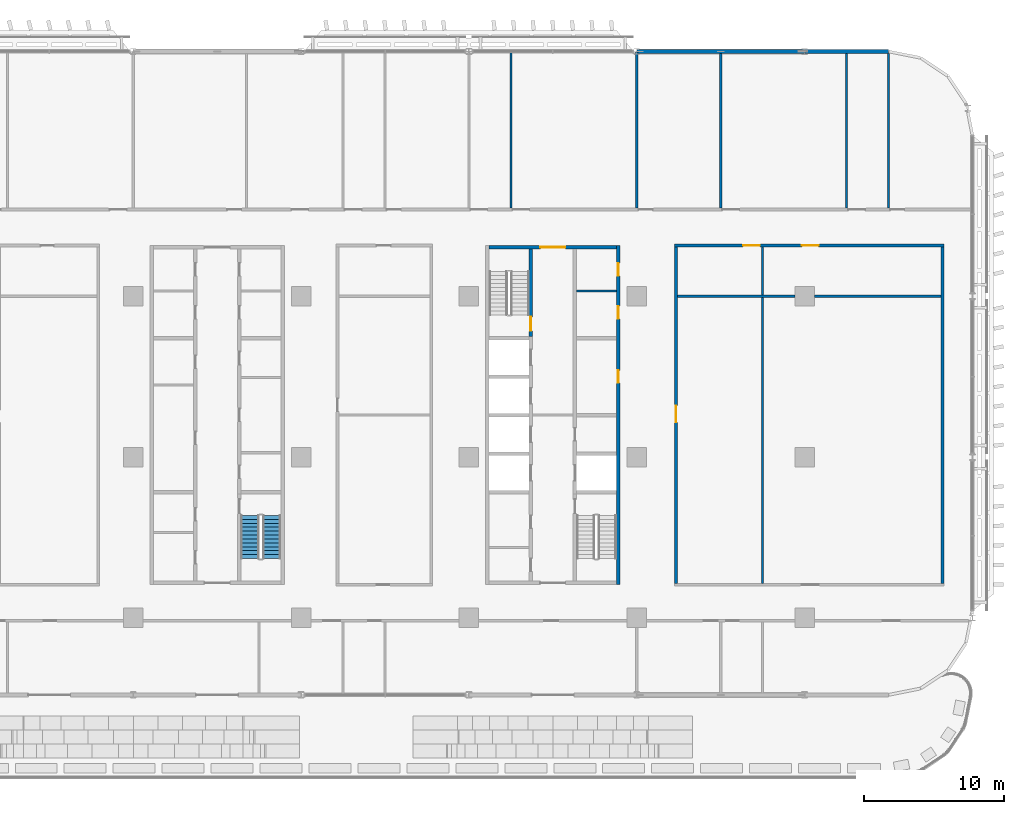
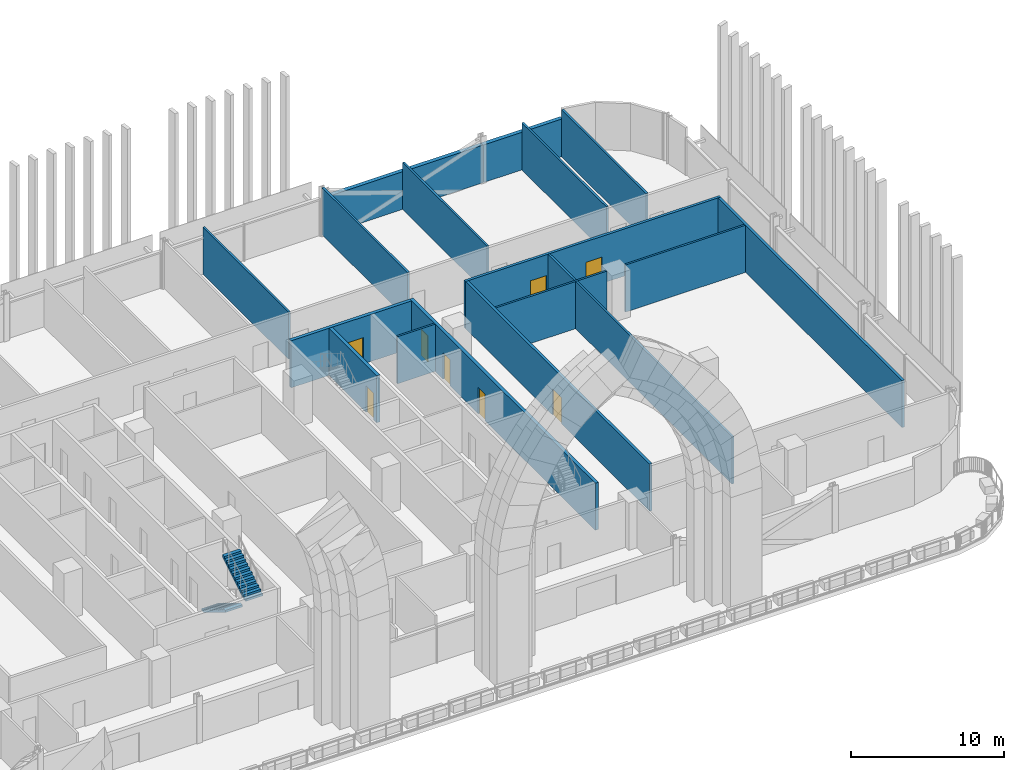
# One storey, part 15 of 31: 17 walls, 8 doors, 2 stair flights, 8 openings, 1 element without a shape of its own.
"""IFC4 building model written with IfcOpenShell, lengths in metres."""

from ifc_helpers import new_model, si_unit, direction, frame, frame_2d, origin, place, context, subcontext, project, spatial, polyline, rectangle, outline, extrude, material, layer, layer_set, type_object, element, fill, aggregate, save


model = new_model("IFC4")

# Units and contexts
model_context = context("Model", 3, precision=1e-05, world=origin(), true_north=direction((0.0, 1.0)))
body_context = subcontext(model_context, "Body", "Model", "MODEL_VIEW")
ifc_project = project(units=[si_unit("LENGTHUNIT", "METRE"), si_unit("AREAUNIT", "SQUARE_METRE"), si_unit("VOLUMEUNIT", "CUBIC_METRE"), si_unit("PLANEANGLEUNIT", "RADIAN"), si_unit("MASSUNIT", "GRAM", prefix="KILO")], contexts=[model_context])

# Site, building, storey
site_placement = place(None, origin())
site = spatial("IfcSite", under=ifc_project, at=site_placement, CompositionType="ELEMENT")
building_placement = place(site_placement, origin())
building = spatial("IfcBuilding", under=site, at=building_placement, Name="Mahtab Terrace Research Tower", CompositionType="ELEMENT")
storey_placement = place(building_placement, frame((0.0, 0.0, 84.800048828125)))
storey = spatial("IfcBuildingStorey", under=building, at=storey_placement, Name="L19", CompositionType="ELEMENT", Elevation=84.800048828125)

# Wall
ifc_material_1 = material(Name="Gypsum board partition")
ifc_layer_1 = layer(ifc_material_1, 0.14990234375)
ifc_layer_set_1 = layer_set([ifc_layer_1], Name="Core partition 150")
wall_type_1 = type_object("IfcWallType", Name="Core partition 150", PredefinedType="PARTITIONING", material=ifc_layer_set_1)
wall_1_placement = place(storey_placement, frame((25.699951171875, 11.875, 0.0), z_axis=(0.0, 0.0, 1.0), x_axis=(1.0, 0.0, 0.0)))
element("IfcWall", 1, at=wall_1_placement, inside=storey, type_object=wall_type_1, Name="Core wall C pEN888", PredefinedType="PARTITIONING", context=body_context, shape_type="SweptSolid", body=[
    extrude(rectangle(XDim=2.85009765625, YDim=0.14990234375, at=frame_2d((1.425048828125, 0.0))), origin(), (0.0, 0.0, 1.0), 3.760009765625),
])

# Wall, openings, doors
ifc_material_2 = material(Name="Concrete C70/85", Category="concrete")
ifc_layer_2 = layer(ifc_material_2, 0.25)
ifc_layer_set_2 = layer_set([ifc_layer_2], Name="Core wall 250")
wall_type_2 = type_object("IfcWallType", Name="Core wall 250", PredefinedType="SOLIDWALL", material=ifc_layer_set_2)
wall_2_placement = place(storey_placement, frame((28.675048828125, -9.125, 0.0), z_axis=(0.0, 0.0, 1.0), x_axis=(0.0, 1.0, 0.0)))
wall_2 = element("IfcWall", 2, at=wall_2_placement, inside=storey, type_object=wall_type_2, Name="Core wall C outerE", PredefinedType="SOLIDWALL", context=body_context, shape_type="SweptSolid", body=[
    extrude(rectangle(XDim=24.25, YDim=0.25, at=frame_2d((12.125, 0.0))), origin(), (0.0, 0.0, 1.0), 3.760009765625),
])
opening_1_placement = place(wall_2_placement, frame((14.425048828125, 0.0, 0.0)))
opening_1 = element("IfcOpeningElement", 3, at=opening_1_placement, cuts=wall_2, Name="Opening C-R2", PredefinedType="OPENING", context=body_context, shape_type="SweptSolid", body=[
    extrude(rectangle(XDim=0.89990234375, YDim=2.10009765625, at=frame_2d((0.449951171875, 1.050048828125))), frame((0.0, 0.135009765625, 0.0), z_axis=(0.0, -1.0, 0.0), x_axis=(1.0, 0.0, 0.0)), (0.0, 0.0, 1.0), 0.27001953125),
])
opening_2_placement = place(wall_2_placement, frame((19.012451171875, 0.0, 0.0)))
opening_2 = element("IfcOpeningElement", 4, at=opening_2_placement, cuts=wall_2, Name="Opening C-R5", PredefinedType="OPENING", context=body_context, shape_type="SweptSolid", body=[
    extrude(rectangle(XDim=0.89990234375, YDim=2.10009765625, at=frame_2d((0.449951171875, 1.050048828125))), frame((0.0, 0.135009765625, 0.0), z_axis=(0.0, -1.0, 0.0), x_axis=(1.0, 0.0, 0.0)), (0.0, 0.0, 1.0), 0.27001953125),
])
opening_3_placement = place(wall_2_placement, frame((22.08740234375, 0.0, 0.0)))
opening_3 = element("IfcOpeningElement", 5, at=opening_3_placement, cuts=wall_2, Name="Opening C-R6", PredefinedType="OPENING", context=body_context, shape_type="SweptSolid", body=[
    extrude(rectangle(XDim=0.89990234375, YDim=2.10009765625, at=frame_2d((0.449951171875, 1.050048828125))), frame((0.0, 0.135009765625, 0.0), z_axis=(0.0, -1.0, 0.0), x_axis=(1.0, 0.0, 0.0)), (0.0, 0.0, 1.0), 0.27001953125),
])
ifc_material_3 = material(Name="Steel fire door", Category="steel")
door_type_1 = type_object("IfcDoorType", Name="Room door 900x2100 1 HR", OperationType="NOTDEFINED", PredefinedType="DOOR", material=ifc_material_3)
door_1_placement = place(opening_1_placement, origin())
door_1 = element("IfcDoor", 6, at=door_1_placement, inside=storey, type_object=door_type_1, Name="Plant room door", OperationType="SINGLE_SWING_RIGHT", OverallHeight=2.10009765625, OverallWidth=0.89990234375, PredefinedType="DOOR", context=body_context, shape_type="SweptSolid", body=[
    extrude(rectangle(XDim=0.89990234375, YDim=2.10009765625, at=frame_2d((0.449951171875, 1.050048828125))), frame((0.0, 0.02490234375, 0.0), z_axis=(0.0, -1.0, 0.0), x_axis=(1.0, 0.0, 0.0)), (0.0, 0.0, 1.0), 0.050048828125),
])
fill(opening_1, door_1)
door_2_placement = place(opening_2_placement, origin())
door_2 = element("IfcDoor", 7, at=door_2_placement, inside=storey, type_object=door_type_1, Name="Housekeeping store door", OperationType="SINGLE_SWING_LEFT", OverallHeight=2.10009765625, OverallWidth=0.89990234375, PredefinedType="DOOR", context=body_context, shape_type="SweptSolid", body=[
    extrude(rectangle(XDim=0.89990234375, YDim=2.10009765625, at=frame_2d((0.449951171875, 1.050048828125))), frame((0.0, 0.02490234375, 0.0), z_axis=(0.0, -1.0, 0.0), x_axis=(1.0, 0.0, 0.0)), (0.0, 0.0, 1.0), 0.050048828125),
])
fill(opening_2, door_2)
door_3_placement = place(opening_3_placement, origin())
door_3 = element("IfcDoor", 8, at=door_3_placement, inside=storey, type_object=door_type_1, Name="Electrical riser room door", OperationType="SINGLE_SWING_RIGHT", OverallHeight=2.10009765625, OverallWidth=0.89990234375, PredefinedType="DOOR", context=body_context, shape_type="SweptSolid", body=[
    extrude(rectangle(XDim=0.89990234375, YDim=2.10009765625, at=frame_2d((0.449951171875, 1.050048828125))), frame((0.0, 0.02490234375, 0.0), z_axis=(0.0, -1.0, 0.0), x_axis=(1.0, 0.0, 0.0)), (0.0, 0.0, 1.0), 0.050048828125),
])
fill(opening_3, door_3)

# Wall, opening, door
wall_3_placement = place(storey_placement, frame((19.449951171875, 15.0, 0.0), z_axis=(0.0, 0.0, 1.0), x_axis=(1.0, 0.0, 0.0)))
wall_3 = element("IfcWall", 9, at=wall_3_placement, inside=storey, type_object=wall_type_2, Name="Core wall C endN", PredefinedType="SOLIDWALL", context=body_context, shape_type="SweptSolid", body=[
    extrude(rectangle(XDim=9.10009765625, YDim=0.25, at=frame_2d((4.550048828125, 0.0))), origin(), (0.0, 0.0, 1.0), 3.760009765625),
])
opening_4_placement = place(wall_3_placement, frame((3.64990234375, 0.0, 0.0)))
opening_4 = element("IfcOpeningElement", 10, at=opening_4_placement, cuts=wall_3, Name="Opening C-N1", PredefinedType="OPENING", context=body_context, shape_type="SweptSolid", body=[
    extrude(rectangle(XDim=1.800048828125, YDim=2.10009765625, at=frame_2d((0.89990234375, 1.050048828125))), frame((0.0, 0.135009765625, 0.0), z_axis=(0.0, -1.0, 0.0), x_axis=(1.0, 0.0, 0.0)), (0.0, 0.0, 1.0), 0.27001953125),
])
door_type_2 = type_object("IfcDoorType", Name="Lobby double door 1800x2100 1 HR", OperationType="DOUBLE_DOOR_SINGLE_SWING", PredefinedType="DOOR", material=ifc_material_3)
door_4_placement = place(opening_4_placement, origin())
door_4 = element("IfcDoor", 11, at=door_4_placement, inside=storey, type_object=door_type_2, Name="Core entrance door C N", OperationType="DOUBLE_DOOR_SINGLE_SWING", OverallHeight=2.10009765625, OverallWidth=1.800048828125, PredefinedType="DOOR", context=body_context, shape_type="SweptSolid", body=[
    extrude(rectangle(XDim=1.800048828125, YDim=2.10009765625, at=frame_2d((0.89990234375, 1.050048828125))), frame((0.0, 0.02490234375, 0.0), z_axis=(0.0, -1.0, 0.0), x_axis=(1.0, 0.0, 0.0)), (0.0, 0.0, 1.0), 0.050048828125),
])
fill(opening_4, door_4)

wall_4_placement = place(storey_placement, frame((22.425048828125, 14.875, 0.0), z_axis=(0.0, 0.0, 1.0), x_axis=(0.0, -1.0, 0.0)))
wall_4 = element("IfcWall", 12, at=wall_4_placement, inside=storey, type_object=wall_type_2, Name="Core wall C innerWN", PredefinedType="SOLIDWALL", context=body_context, shape_type="SweptSolid", body=[
    extrude(rectangle(XDim=6.25, YDim=0.25, at=frame_2d((3.125, 0.0))), origin(), (0.0, 0.0, 1.0), 3.760009765625),
])
opening_5_placement = place(wall_4_placement, frame((4.85009765625, 0.0, 0.0)))
opening_5 = element("IfcOpeningElement", 13, at=opening_5_placement, cuts=wall_4, Name="Opening C-ST3", PredefinedType="OPENING", context=body_context, shape_type="SweptSolid", body=[
    extrude(rectangle(XDim=1.0, YDim=2.10009765625, at=frame_2d((0.5, 1.050048828125))), frame((0.0, 0.135009765625, 0.0), z_axis=(0.0, -1.0, 0.0), x_axis=(1.0, 0.0, 0.0)), (0.0, 0.0, 1.0), 0.27001953125),
])
door_type_3 = type_object("IfcDoorType", Name="Stair door 1000x2100 1.5 HR", OperationType="NOTDEFINED", PredefinedType="DOOR", material=ifc_material_3)
door_5_placement = place(opening_5_placement, origin())
door_5 = element("IfcDoor", 14, at=door_5_placement, inside=storey, type_object=door_type_3, Name="Stair door ST3 L19", OperationType="SINGLE_SWING_LEFT", OverallHeight=2.10009765625, OverallWidth=1.0, PredefinedType="DOOR", context=body_context, shape_type="SweptSolid", body=[
    extrude(rectangle(XDim=1.0, YDim=2.10009765625, at=frame_2d((0.5, 1.050048828125))), frame((0.0, 0.02490234375, 0.0), z_axis=(0.0, -1.0, 0.0), x_axis=(1.0, 0.0, 0.0)), (0.0, 0.0, 1.0), 0.050048828125),
])
fill(opening_5, door_5)

# Walls
ifc_material_4 = material(Name="Black aluminium cladding panel", Category="aluminium")
ifc_layer_3 = layer(ifc_material_4, 0.300048828125)
ifc_layer_set_3 = layer_set([ifc_layer_3], Name="Opaque facade wall 300")
wall_type_3 = type_object("IfcWallType", Name="Opaque facade wall 300", PredefinedType="NOTDEFINED", material=ifc_layer_set_3)
wall_5_placement = place(storey_placement, frame((48.0, 29.0, 0.0), z_axis=(0.0, 0.0, 1.0), x_axis=(-1.0, 0.0, 0.0)))
element("IfcWall", 15, at=wall_5_placement, inside=storey, type_object=wall_type_3, Name="Opaque facade wall L19 N3", PredefinedType="NOTDEFINED", context=body_context, shape_type="SweptSolid", body=[
    extrude(rectangle(XDim=5.97900390625, YDim=0.300048828125, at=frame_2d((2.989501953125, 0.0))), origin(), (0.0, 0.0, 1.0), 3.0029296875),
])
wall_6_placement = place(storey_placement, frame((41.97900390625, 29.0, 0.0), z_axis=(0.0, 0.0, 1.0), x_axis=(-1.0, 0.0, 0.0)))
element("IfcWall", 16, at=wall_6_placement, inside=storey, type_object=wall_type_3, Name="Opaque facade wall L19 N4", PredefinedType="NOTDEFINED", context=body_context, shape_type="SweptSolid", body=[
    extrude(rectangle(XDim=11.9580078125, YDim=0.300048828125, at=frame_2d((5.97900390625, 0.0))), origin(), (0.0, 0.0, 1.0), 3.0029296875),
])

# Wall, openings, doors
ifc_material_5 = material(Name="Gypsum board corridor wall on steel studs", Category="steel")
ifc_layer_4 = layer(ifc_material_5, 0.199951171875)
ifc_layer_set_4 = layer_set([ifc_layer_4], Name="WALL CORRIDOR 200")
wall_type_4 = type_object("IfcWallType", Name="WALL CORRIDOR 200", PredefinedType="PARTITIONING", material=ifc_layer_set_4)
wall_7_placement = place(storey_placement, frame((32.699951171875, 15.125, 0.0), z_axis=(0.0, 0.0, 1.0), x_axis=(1.0, 0.0, 0.0)))
wall_7 = element("IfcWall", 17, at=wall_7_placement, inside=storey, type_object=wall_type_4, Name="L19-W023", PredefinedType="PARTITIONING", context=body_context, shape_type="SweptSolid", body=[
    extrude(rectangle(XDim=19.25, YDim=0.199951171875, at=frame_2d((9.625, 0.0))), origin(), (0.0, 0.0, 1.0), 3.760009765625),
])
opening_6_placement = place(wall_7_placement, frame((4.89990234375, 0.0, 0.0)))
opening_6 = element("IfcOpeningElement", 18, at=opening_6_placement, cuts=wall_7, Name="Opening L19-121", PredefinedType="OPENING", context=body_context, shape_type="SweptSolid", body=[
    extrude(rectangle(XDim=1.199951171875, YDim=2.10009765625, at=frame_2d((0.60009765625, 1.050048828125))), frame((0.0, 0.10986328125, 0.0), z_axis=(0.0, -1.0, 0.0), x_axis=(1.0, 0.0, 0.0)), (0.0, 0.0, 1.0), 0.219970703125),
])
opening_7_placement = place(wall_7_placement, frame((9.10009765625, 0.0, 0.0)))
opening_7 = element("IfcOpeningElement", 19, at=opening_7_placement, cuts=wall_7, Name="Opening L19-122", PredefinedType="OPENING", context=body_context, shape_type="SweptSolid", body=[
    extrude(rectangle(XDim=1.199951171875, YDim=2.10009765625, at=frame_2d((0.60009765625, 1.050048828125))), frame((0.0, 0.10986328125, 0.0), z_axis=(0.0, -1.0, 0.0), x_axis=(1.0, 0.0, 0.0)), (0.0, 0.0, 1.0), 0.219970703125),
])
ifc_material_6 = material(Name="Timber door leaf in steel frame", Category="steel")
door_type_4 = type_object("IfcDoorType", Name="DOOR 1200X2100 FD30S", OperationType="SINGLE_SWING_LEFT", PredefinedType="DOOR", material=ifc_material_6)
door_6_placement = place(opening_6_placement, origin())
door_6 = element("IfcDoor", 20, at=door_6_placement, inside=storey, type_object=door_type_4, Name="Door L19-121", OperationType="SINGLE_SWING_RIGHT", OverallHeight=2.10009765625, OverallWidth=1.199951171875, PredefinedType="DOOR", context=body_context, shape_type="SweptSolid", body=[
    extrude(rectangle(XDim=1.199951171875, YDim=2.10009765625, at=frame_2d((0.60009765625, 1.050048828125))), frame((0.0, 0.02490234375, 0.0), z_axis=(0.0, -1.0, 0.0), x_axis=(1.0, 0.0, 0.0)), (0.0, 0.0, 1.0), 0.050048828125),
])
fill(opening_6, door_6)
door_7_placement = place(opening_7_placement, origin())
door_7 = element("IfcDoor", 21, at=door_7_placement, inside=storey, type_object=door_type_4, Name="Door L19-122", OperationType="SINGLE_SWING_LEFT", OverallHeight=2.10009765625, OverallWidth=1.199951171875, PredefinedType="DOOR", context=body_context, shape_type="SweptSolid", body=[
    extrude(rectangle(XDim=1.199951171875, YDim=2.10009765625, at=frame_2d((0.60009765625, 1.050048828125))), frame((0.0, 0.02490234375, 0.0), z_axis=(0.0, -1.0, 0.0), x_axis=(1.0, 0.0, 0.0)), (0.0, 0.0, 1.0), 0.050048828125),
])
fill(opening_7, door_7)

# Wall, opening, door
wall_8_placement = place(storey_placement, frame((32.800048828125, -9.02490234375, 0.0), z_axis=(0.0, 0.0, 1.0), x_axis=(0.0, 1.0, 0.0)))
wall_8 = element("IfcWall", 22, at=wall_8_placement, inside=storey, type_object=wall_type_4, Name="L19-W050", PredefinedType="PARTITIONING", context=body_context, shape_type="SweptSolid", body=[
    extrude(rectangle(XDim=24.0498046875, YDim=0.199951171875, at=frame_2d((12.02490234375, 0.0))), origin(), (0.0, 0.0, 1.0), 3.760009765625),
])
opening_8_placement = place(wall_8_placement, frame((11.5, 0.0, 0.0)))
opening_8 = element("IfcOpeningElement", 23, at=opening_8_placement, cuts=wall_8, Name="Opening L19-114", PredefinedType="OPENING", context=body_context, shape_type="SweptSolid", body=[
    extrude(rectangle(XDim=1.199951171875, YDim=2.10009765625, at=frame_2d((0.60009765625, 1.050048828125))), frame((0.0, 0.10986328125, 0.0), z_axis=(0.0, -1.0, 0.0), x_axis=(1.0, 0.0, 0.0)), (0.0, 0.0, 1.0), 0.219970703125),
])
door_8_placement = place(opening_8_placement, origin())
door_8 = element("IfcDoor", 24, at=door_8_placement, inside=storey, type_object=door_type_4, Name="Door L19-114", OperationType="SINGLE_SWING_LEFT", OverallHeight=2.10009765625, OverallWidth=1.199951171875, PredefinedType="DOOR", context=body_context, shape_type="SweptSolid", body=[
    extrude(rectangle(XDim=1.199951171875, YDim=2.10009765625, at=frame_2d((0.60009765625, 1.050048828125))), frame((0.0, 0.02490234375, 0.0), z_axis=(0.0, -1.0, 0.0), x_axis=(1.0, 0.0, 0.0)), (0.0, 0.0, 1.0), 0.050048828125),
])
fill(opening_8, door_8)

# Walls
wall_9_placement = place(storey_placement, frame((51.85009765625, -9.02490234375, 0.0), z_axis=(0.0, 0.0, 1.0), x_axis=(0.0, 1.0, 0.0)))
element("IfcWall", 25, at=wall_9_placement, inside=storey, type_object=wall_type_4, Name="L19-W057", PredefinedType="PARTITIONING", context=body_context, shape_type="SweptSolid", body=[
    extrude(rectangle(XDim=24.0498046875, YDim=0.199951171875, at=frame_2d((12.02490234375, 0.0))), origin(), (0.0, 0.0, 1.0), 3.760009765625),
])
ifc_material_7 = material(Name="Gypsum board partition on steel studs", Category="steel")
ifc_layer_5 = layer(ifc_material_7, 0.14990234375)
ifc_layer_set_5 = layer_set([ifc_layer_5], Name="WALL PARTITION 150")
wall_type_5 = type_object("IfcWallType", Name="WALL PARTITION 150", PredefinedType="PARTITIONING", material=ifc_layer_set_5)
wall_10_placement = place(storey_placement, frame((32.89990234375, 11.5, 0.0), z_axis=(0.0, 0.0, 1.0), x_axis=(1.0, 0.0, 0.0)))
element("IfcWall", 26, at=wall_10_placement, inside=storey, type_object=wall_type_5, Name="L19-W018", PredefinedType="PARTITIONING", context=body_context, shape_type="SweptSolid", body=[
    extrude(rectangle(XDim=8.400146484375, YDim=0.14990234375, at=frame_2d((4.2001953125, 0.0))), origin(), (0.0, 0.0, 1.0), 3.760009765625),
])
wall_11_placement = place(storey_placement, frame((42.699951171875, 11.5, 0.0), z_axis=(0.0, 0.0, 1.0), x_axis=(1.0, 0.0, 0.0)))
element("IfcWall", 27, at=wall_11_placement, inside=storey, type_object=wall_type_5, Name="L19-W019", PredefinedType="PARTITIONING", context=body_context, shape_type="SweptSolid", body=[
    extrude(rectangle(XDim=9.050048828125, YDim=0.14990234375, at=frame_2d((4.52490234375, 0.0))), origin(), (0.0, 0.0, 1.0), 3.760009765625),
])
for number, where, z_axis, x_axis, name in (
    (28, (21.0, 17.800048828125, 0.0), (0.0, 0.0, 1.0), (0.0, 1.0, 0.0), "L19-W047"),
    (29, (30.0, 17.800048828125, 0.0), (0.0, 0.0, 1.0), (0.0, 1.0, 0.0), "L19-W049"),
):
    element("IfcWall", number, at=place(storey_placement, frame(where, z_axis=z_axis, x_axis=x_axis)), inside=storey, type_object=wall_type_5, Name=name, PredefinedType="PARTITIONING", context=body_context, shape_type="SweptSolid", body=[
        extrude(rectangle(XDim=11.175048828125, YDim=0.14990234375, at=frame_2d((5.58740234375, 0.0))), origin(), (0.0, 0.0, 1.0), 3.760009765625),
    ])
wall_12_placement = place(storey_placement, frame((36.0, 17.800048828125, 0.0), z_axis=(0.0, 0.0, 1.0), x_axis=(0.0, 1.0, 0.0)))
element("IfcWall", 30, at=wall_12_placement, inside=storey, type_object=wall_type_5, Name="L19-W052", PredefinedType="PARTITIONING", context=body_context, shape_type="SweptSolid", body=[
    extrude(rectangle(XDim=11.050048828125, YDim=0.14990234375, at=frame_2d((5.52490234375, 0.0))), origin(), (0.0, 0.0, 1.0), 3.760009765625),
])
wall_13_placement = place(storey_placement, frame((39.0, -9.02490234375, 0.0), z_axis=(0.0, 0.0, 1.0), x_axis=(0.0, 1.0, 0.0)))
element("IfcWall", 31, at=wall_13_placement, inside=storey, type_object=wall_type_5, Name="L19-W054", PredefinedType="PARTITIONING", context=body_context, shape_type="SweptSolid", body=[
    extrude(rectangle(XDim=24.0498046875, YDim=0.14990234375, at=frame_2d((12.02490234375, 0.0))), origin(), (0.0, 0.0, 1.0), 3.760009765625),
])
wall_14_placement = place(storey_placement, frame((45.0, 17.800048828125, 0.0), z_axis=(0.0, 0.0, 1.0), x_axis=(0.0, 1.0, 0.0)))
element("IfcWall", 32, at=wall_14_placement, inside=storey, type_object=wall_type_5, Name="L19-W055", PredefinedType="PARTITIONING", context=body_context, shape_type="SweptSolid", body=[
    extrude(rectangle(XDim=11.050048828125, YDim=0.14990234375, at=frame_2d((5.52490234375, 0.0))), origin(), (0.0, 0.0, 1.0), 3.760009765625),
])
wall_15_placement = place(storey_placement, frame((48.0, 17.800048828125, 0.0), z_axis=(0.0, 0.0, 1.0), x_axis=(0.0, 1.0, 0.0)))
element("IfcWall", 33, at=wall_15_placement, inside=storey, type_object=wall_type_5, Name="L19-W056", PredefinedType="PARTITIONING", context=body_context, shape_type="SweptSolid", body=[
    extrude(rectangle(XDim=11.047119140625, YDim=0.14990234375, at=frame_2d((5.5234375, 0.0))), origin(), (0.0, 0.0, 1.0), 3.760009765625),
])

# Stair, stair flights
ifc_material_8 = material(Name="Exit stair half-turn")
stair_type = type_object("IfcStairType", Name="Exit stair half-turn", PredefinedType="HALF_TURN_STAIR", material=ifc_material_8)
stair_placement = place(storey_placement, origin())
stair = element("IfcStair", 34, at=stair_placement, inside=storey, type_object=stair_type, Name="L19 Protected exit stair ST2", PredefinedType="HALF_TURN_STAIR")
ifc_material_9 = material(Name="Concrete C40/50", Category="concrete")
stair_flight_type = type_object("IfcStairFlightType", Name="Exit stair flight 1300", PredefinedType="STRAIGHT", material=ifc_material_9)
stair_flight_1_placement = place(storey_placement, frame((2.35009765625, -4.175048828125, 0.0), z_axis=(0.0, 0.0, 1.0), x_axis=(0.0, -1.0, 0.0)))
stair_flight_1 = element("IfcStairFlight", 35, at=stair_flight_1_placement, type_object=stair_flight_type, Name="ST2 flight 1", NumberOfRisers=12, NumberOfTreads=11, PredefinedType="STRAIGHT", RiserHeight=0.170833333, TreadLength=0.28, context=body_context, shape_type="SweptSolid", body=[
    extrude(outline(polyline([(0.0, 0.0), (0.0, 0.1708984375), (0.280029296875, 0.1708984375), (0.280029296875, 0.341552734375), (0.56005859375, 0.341552734375), (0.56005859375, 0.512451171875), (0.840087890625, 0.512451171875), (0.840087890625, 0.683349609375), (1.1201171875, 0.683349609375), (1.1201171875, 0.854248046875), (1.39990234375, 0.854248046875), (1.39990234375, 1.02490234375), (1.679931640625, 1.02490234375), (1.679931640625, 1.19580078125), (1.9599609375, 1.19580078125), (1.9599609375, 1.36669921875), (2.239990234375, 1.36669921875), (2.239990234375, 1.53759765625), (2.52001953125, 1.53759765625), (2.52001953125, 1.708251953125), (2.800048828125, 1.708251953125), (2.800048828125, 1.879150390625), (3.080078125, 1.879150390625), (3.080078125, 2.050048828125), (3.080078125, 1.70361328125), (0.287841796875, 0.0), (0.0, 0.0)])), frame((0.0, 0.64990234375, 0.0), z_axis=(0.0, -1.0, 0.0), x_axis=(1.0, 0.0, 0.0)), (0.0, 0.0, 1.0), 1.300048828125),
])
stair_flight_2_placement = place(storey_placement, frame((3.89990234375, -7.2548828125, 2.050048828125), z_axis=(0.0, 0.0, 1.0), x_axis=(0.0, 1.0, 0.0)))
stair_flight_2 = element("IfcStairFlight", 36, at=stair_flight_2_placement, type_object=stair_flight_type, Name="ST2 flight 2", NumberOfRisers=12, NumberOfTreads=11, PredefinedType="STRAIGHT", RiserHeight=0.170833333, TreadLength=0.28, context=body_context, shape_type="SweptSolid", body=[
    extrude(outline(polyline([(0.0, 0.0), (0.0, 0.1708984375), (0.280029296875, 0.1708984375), (0.280029296875, 0.341552734375), (0.56005859375, 0.341552734375), (0.56005859375, 0.512451171875), (0.840087890625, 0.512451171875), (0.840087890625, 0.683349609375), (1.1201171875, 0.683349609375), (1.1201171875, 0.854248046875), (1.39990234375, 0.854248046875), (1.39990234375, 1.02490234375), (1.679931640625, 1.02490234375), (1.679931640625, 1.19580078125), (1.9599609375, 1.19580078125), (1.9599609375, 1.36669921875), (2.239990234375, 1.36669921875), (2.239990234375, 1.53759765625), (2.52001953125, 1.53759765625), (2.52001953125, 1.708251953125), (2.800048828125, 1.708251953125), (2.800048828125, 1.879150390625), (3.080078125, 1.879150390625), (3.080078125, 2.050048828125), (3.080078125, 1.70361328125), (0.287841796875, 0.0), (0.0, 0.0)])), frame((0.0, 0.64990234375, 0.0), z_axis=(0.0, -1.0, 0.0), x_axis=(1.0, 0.0, 0.0)), (0.0, 0.0, 1.0), 1.300048828125),
])
aggregate(stair, [stair_flight_1, stair_flight_2])

save(model, "model.ifc")
